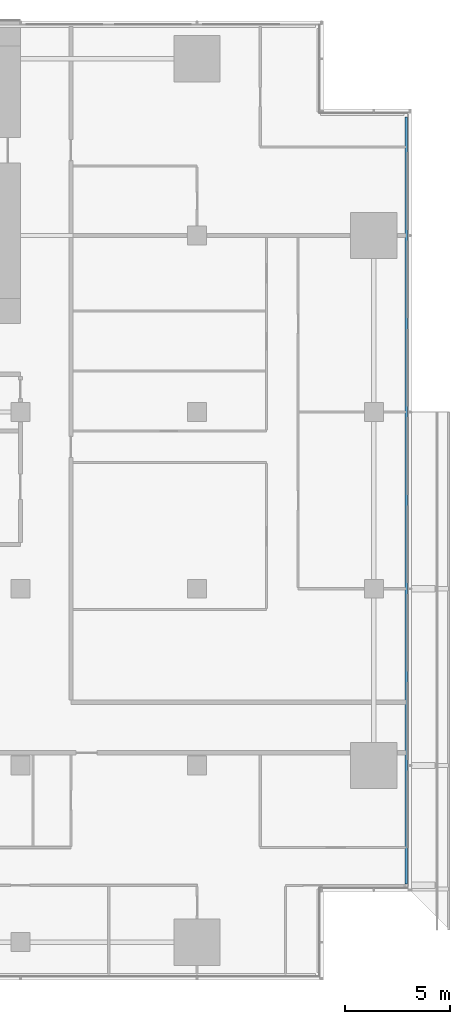
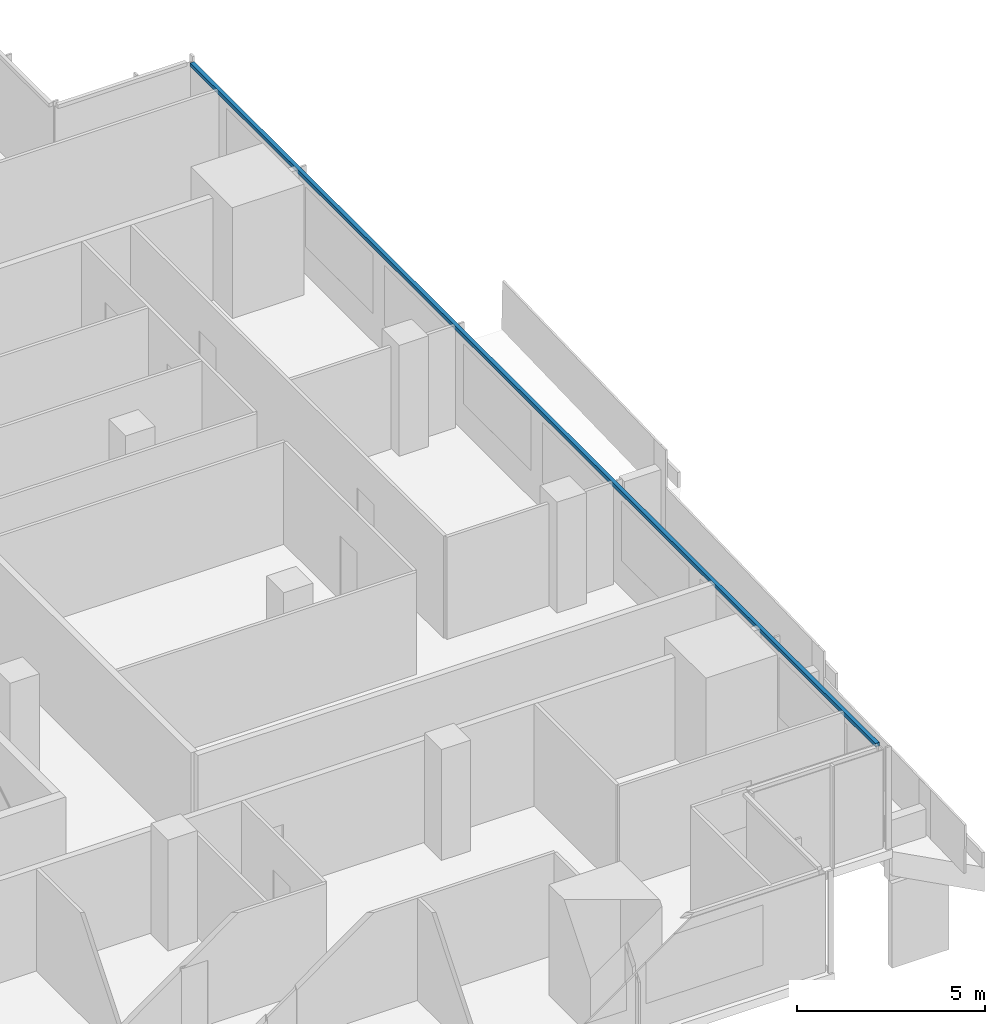
# One storey, part 12 of 25: 1 member, 1 element without a shape of its own.
"""IFC4 building model written with IfcOpenShell, lengths in metres."""

import ifcopenshell
import ifcopenshell.guid

model = None  # the IFC model being written
_history = None  # IfcOwnerHistory: only IFC2X3 demands one
_inside = {}  # id of a spatial element -> (the spatial element, [elements in it])
_under = {}  # id of a project, library or spatial element -> (it, [spatial elements below it])
_declared = {}  # id of a project -> (the project, [libraries it declares])
_typed = {}  # id of a type object -> (the type object, [elements of that type])
_made_of = {}  # id of a material, layer set ... -> (it, [elements and type objects made of it])


def new_model(schema):
    """Start an empty IFC model of exactly this schema.

    Asked for "IFC4X3", IfcOpenShell would pick the latest addendum, in which some entities
    have other attributes; the version numbers below select the first issue.
    IFC2X3 requires an IfcOwnerHistory on every rooted entity: one is made here for all.
    """
    global model, _history
    if schema == "IFC4X3":
        model = ifcopenshell.file(schema_version=(4, 3, 0, 0))
    else:
        model = ifcopenshell.file(schema=schema)
    _inside.clear()
    _under.clear()
    _declared.clear()
    _typed.clear()
    _made_of.clear()
    _history = None
    if model.schema == "IFC2X3":
        org = make("IfcOrganization", Name="unknown")
        user = make(
            "IfcPersonAndOrganization",
            ThePerson=make("IfcPerson", FamilyName="unknown"),
            TheOrganization=org,
        )
        app = make(
            "IfcApplication",
            ApplicationDeveloper=org,
            Version="unknown",
            ApplicationFullName="unknown",
            ApplicationIdentifier="unknown",
        )
        _history = make(
            "IfcOwnerHistory",
            OwningUser=user,
            OwningApplication=app,
            ChangeAction="ADDED",
            CreationDate=0,
        )
    return model


def make(cls, **values):
    """One entity of the class cls with the attributes given. An attribute that is None is left unset."""
    return model.create_entity(
        cls, **{name: value for name, value in values.items() if value is not None}
    )


def rooted(cls, **values):
    """An entity with a GlobalId (a new one), such as an element, a storey or a relation."""
    return make(cls, GlobalId=ifcopenshell.guid.new(), OwnerHistory=_history, **values)


def si_unit(unit_type, name, prefix=None):
    """IfcSIUnit, for example si_unit("LENGTHUNIT", "METRE", prefix="MILLI")."""
    return make("IfcSIUnit", UnitType=unit_type, Prefix=prefix, Name=name)


def assignment(units):
    """IfcUnitAssignment: the units of a project."""
    return None if units is None else make("IfcUnitAssignment", Units=units)


def point(xyz):
    """IfcCartesianPoint."""
    return None if xyz is None else make("IfcCartesianPoint", Coordinates=xyz)


def direction(xyz):
    """IfcDirection."""
    return None if xyz is None else make("IfcDirection", DirectionRatios=xyz)


def frame(location, z_axis=None, x_axis=None):
    """IfcAxis2Placement3D, a coordinate frame: its origin and axes. An axis left out is left unset."""
    return make(
        "IfcAxis2Placement3D",
        Location=point(location),
        Axis=direction(z_axis),
        RefDirection=direction(x_axis),
    )


def frame_2d(location, x_axis=None):
    """IfcAxis2Placement2D, a coordinate frame in the plane: its origin and x axis."""
    return make(
        "IfcAxis2Placement2D", Location=point(location), RefDirection=direction(x_axis)
    )


def origin():
    """The frame at (0, 0, 0) with its axes left unset."""
    return frame((0.0, 0.0, 0.0))


def origin_2d():
    """The frame at (0, 0) in the plane with its x axis left unset."""
    return frame_2d((0.0, 0.0))


def place(relative_to, where):
    """IfcLocalPlacement: puts the frame where relative to a parent placement (None: the world)."""
    return make(
        "IfcLocalPlacement", PlacementRelTo=relative_to, RelativePlacement=where
    )


def context(
    kind, dimensions, precision=None, world=None, true_north=None, identifier=None
):
    """IfcGeometricRepresentationContext, for example the 3D "Model" context."""
    return make(
        "IfcGeometricRepresentationContext",
        ContextIdentifier=identifier,
        ContextType=kind,
        CoordinateSpaceDimension=dimensions,
        Precision=precision,
        WorldCoordinateSystem=world,
        TrueNorth=true_north,
    )


def subcontext(parent, identifier, kind, view, scale=None):
    """IfcGeometricRepresentationSubContext, for example "Body" below "Model"."""
    return make(
        "IfcGeometricRepresentationSubContext",
        ContextIdentifier=identifier,
        ContextType=kind,
        ParentContext=parent,
        TargetScale=scale,
        TargetView=view,
    )


def project(units=None, contexts=None):
    """IfcProject with its units and contexts."""
    return rooted(
        "IfcProject",
        Name="project",
        RepresentationContexts=contexts,
        UnitsInContext=assignment(units),
    )


def spatial(cls, under=None, at=None, **own):
    """A site, building, storey or space (cls), placed at a placement, below another one or the project."""
    s = rooted(cls, ObjectPlacement=at, **own)
    if under is not None:
        _under.setdefault(under.id(), (under, []))[1].append(s)
    return s


def profile(cls, at=None, kind="AREA", **sizes):
    """A parametric profile (cls). Its sizes go by their IFC names, for example OverallWidth=200.0."""
    return make(cls, ProfileType=kind, Position=at, **sizes)


def rectangle(**sizes):
    """IfcRectangleProfileDef."""
    return profile("IfcRectangleProfileDef", **sizes)


def extrude(swept, where, along, depth):
    """IfcExtrudedAreaSolid: the profile swept, set in the frame where, extruded along a direction by depth."""
    return make(
        "IfcExtrudedAreaSolid",
        SweptArea=swept,
        Position=where,
        ExtrudedDirection=direction(along),
        Depth=depth,
    )


def shape(context_of_items, identifier, shape_type, items):
    """IfcShapeRepresentation: the items that make up one representation, for example the "Body"."""
    return make(
        "IfcShapeRepresentation",
        ContextOfItems=context_of_items,
        RepresentationIdentifier=identifier,
        RepresentationType=shape_type,
        Items=items,
    )


def material(Name=None, Category=None):
    """IfcMaterial."""
    return make("IfcMaterial", Name=Name, Category=Category)


def material_profile(
    of_material, cross_section, Name=None, Category=None, Priority=None
):
    """IfcMaterialProfile: a cross section and its material."""
    return make(
        "IfcMaterialProfile",
        Name=Name,
        Material=of_material,
        Profile=cross_section,
        Priority=Priority,
        Category=Category,
    )


def profile_set(profiles, Name=None, composite=None):
    """IfcMaterialProfileSet."""
    return make(
        "IfcMaterialProfileSet",
        Name=Name,
        MaterialProfiles=profiles,
        CompositeProfile=composite,
    )


def made_of(thing, what):
    """Note that an element or type object is made of a material, layer set ...; save() writes the relation."""
    if what is not None:
        _made_of.setdefault(what.id(), (what, []))[1].append(thing)
    return thing


def type_object(cls, material=None, **own):
    """A type object (cls), such as IfcWallType, which elements share."""
    return made_of(rooted(cls, **own), material)


def element(
    cls,
    number,
    at=None,
    inside=None,
    cuts=None,
    type_object=None,
    material=None,
    context=None,
    identifier="Body",
    shape_type=None,
    held_by="IfcProductDefinitionShape",
    body=None,
    shapes=None,
    **own,
):
    """One element of the class cls, such as IfcWall. Its Tag is "e" and its number.

    at: its placement. inside: the storey or other place that contains it. cuts: it is an
    opening in that element (IfcRelVoidsElement). A single representation is given by context,
    identifier, shape_type and body (its items); several are given by shapes. held_by: the class
    of the entity that holds the representations. save() writes the other relations.
    """
    e = rooted(cls, Tag="e%d" % number, ObjectPlacement=at, **own)
    if body is not None:
        shapes = [shape(context, identifier, shape_type, body)]
    if shapes is not None:
        e.Representation = make(held_by, Representations=shapes)
    if inside is not None:
        _inside.setdefault(inside.id(), (inside, []))[1].append(e)
    if cuts is not None:
        rooted(
            "IfcRelVoidsElement", RelatingBuildingElement=cuts, RelatedOpeningElement=e
        )
    if type_object is not None:
        _typed.setdefault(type_object.id(), (type_object, []))[1].append(e)
    return made_of(e, material)


def aggregate(whole, parts):
    """IfcRelAggregates: a whole, such as a stair, and the parts it consists of."""
    return rooted("IfcRelAggregates", RelatingObject=whole, RelatedObjects=parts)


def save(model, path):
    """Write the relations noted so far, then the file.

    IfcRelAggregates (storeys below a building ...), IfcRelContainedInSpatialStructure (elements
    in a storey), IfcRelDefinesByType, IfcRelAssociatesMaterial and IfcRelDeclares: one each for
    every whole, place, type object, material and project.
    """
    for whole, parts in _under.values():
        aggregate(whole, parts)
    for where, things in _inside.values():
        rooted(
            "IfcRelContainedInSpatialStructure",
            RelatedElements=things,
            RelatingStructure=where,
        )
    for kind, things in _typed.values():
        rooted("IfcRelDefinesByType", RelatedObjects=things, RelatingType=kind)
    for what, things in _made_of.values():
        rooted("IfcRelAssociatesMaterial", RelatedObjects=things, RelatingMaterial=what)
    for by, libraries in _declared.values():
        rooted("IfcRelDeclares", RelatingContext=by, RelatedDefinitions=libraries)
    model.write(path)


model = new_model("IFC4")

# Units and contexts
model_context = context("Model", 3, precision=1e-05, world=origin(), true_north=direction((0.0, 1.0)))
body_context = subcontext(model_context, "Body", "Model", "MODEL_VIEW")
ifc_project = project(units=[si_unit("LENGTHUNIT", "METRE"), si_unit("AREAUNIT", "SQUARE_METRE"), si_unit("VOLUMEUNIT", "CUBIC_METRE"), si_unit("PLANEANGLEUNIT", "RADIAN"), si_unit("MASSUNIT", "GRAM", prefix="KILO")], contexts=[model_context])

# Site, building, storey
site_placement = place(None, origin())
site = spatial("IfcSite", under=ifc_project, at=site_placement, CompositionType="ELEMENT")
building_placement = place(site_placement, origin())
building = spatial("IfcBuilding", under=site, at=building_placement, Name="Saffron Gate Tower", CompositionType="ELEMENT")
storey_placement = place(building_placement, frame((0.0, 0.0, 73.199951171875)))
storey = spatial("IfcBuildingStorey", under=building, at=storey_placement, Name="L17", CompositionType="ELEMENT", Elevation=73.199951171875)

# Curtain wall, member
ifc_material = material(Name="Aluminium, bronze anodised", Category="aluminium")
curtain_wall_type = type_object("IfcCurtainWallType", Name="CWS2 curtain wall side facades", PredefinedType="NOTDEFINED", material=ifc_material)
curtain_wall_placement = place(storey_placement, origin())
curtain_wall = element("IfcCurtainWall", 1, at=curtain_wall_placement, inside=storey, type_object=curtain_wall_type, Name="CWS2 run 4", PredefinedType="NOTDEFINED")
ifc_material_profile = material_profile(ifc_material, rectangle(XDim=0.1201171875, YDim=0.1201171875, at=origin_2d()))
ifc_profile_set = profile_set([ifc_material_profile], Name="Aluminium, bronze anodised")
member_type = type_object("IfcMemberType", Name="CWS2 head transom", PredefinedType="USERDEFINED", material=ifc_profile_set)
member_placement = place(storey_placement, frame((126.951904296875, 34.568115234375, 3.260009765625), z_axis=(0.0, 1.0, 0.0), x_axis=(-1.0, 0.0, 0.0)))
member = element("IfcMember", 2, at=member_placement, type_object=member_type, Name="CWS2 head transom", ObjectType="TRANSOM", PredefinedType="USERDEFINED", context=body_context, shape_type="SweptSolid", body=[
    extrude(rectangle(XDim=0.1201171875, YDim=0.1201171875, at=origin_2d()), origin(), (0.0, 0.0, 1.0), 36.4638671875),
])
aggregate(curtain_wall, [member])

save(model, "model.ifc")
